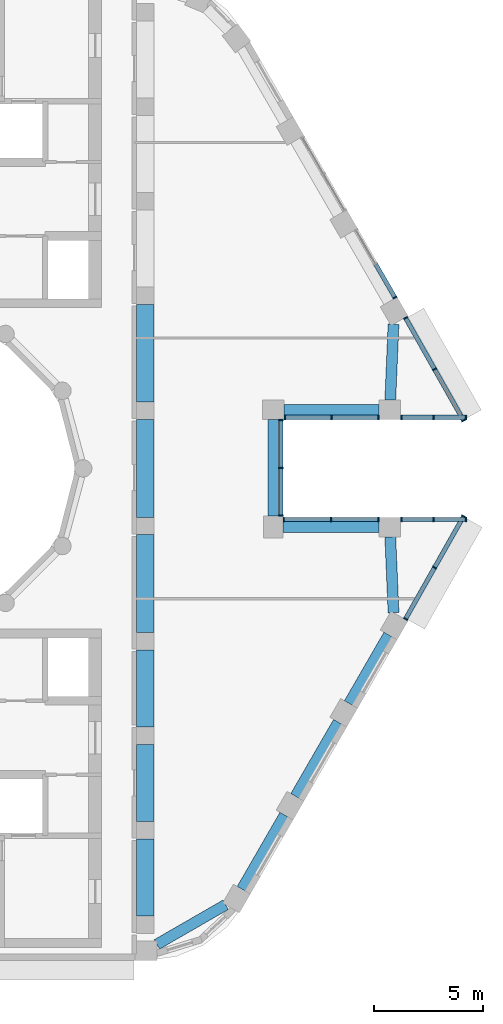
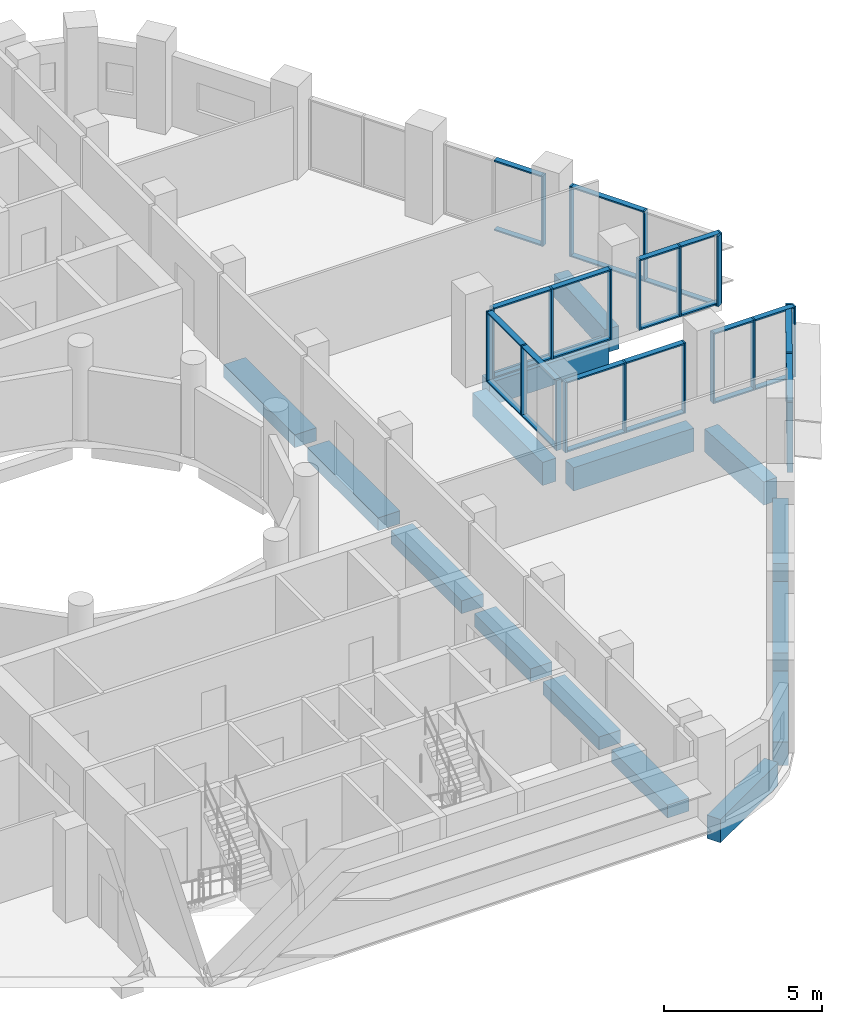
# One storey, part 4 of 16: 51 members, 15 beams, 8 elements without a shape of their own.
"""IFC4 building model written with IfcOpenShell, lengths in metres."""

from ifc_helpers import new_model, si_unit, direction, frame, origin, origin_2d, place, context, subcontext, project, spatial, rectangle, extrude, material, layer, layer_set, material_profile, profile_set, type_object, element, aggregate, save


model = new_model("IFC4")

# Units and contexts
model_context = context("Model", 3, precision=1e-05, world=origin(), true_north=direction((0.0, 1.0)))
body_context = subcontext(model_context, "Body", "Model", "MODEL_VIEW")
ifc_project = project(units=[si_unit("LENGTHUNIT", "METRE"), si_unit("AREAUNIT", "SQUARE_METRE"), si_unit("VOLUMEUNIT", "CUBIC_METRE"), si_unit("PLANEANGLEUNIT", "RADIAN"), si_unit("MASSUNIT", "GRAM", prefix="KILO")], contexts=[model_context])

# Site, building, storey
site_placement = place(None, origin())
site = spatial("IfcSite", under=ifc_project, at=site_placement, CompositionType="ELEMENT")
building_placement = place(site_placement, origin())
building = spatial("IfcBuilding", under=site, at=building_placement, Name="Nakaniwa Court", CompositionType="ELEMENT")
storey_placement = place(building_placement, frame((0.0, 0.0, 272.39990234375)))
storey = spatial("IfcBuildingStorey", under=building, at=storey_placement, Name="C01", CompositionType="ELEMENT", Elevation=272.39990234375)

# Beams
ifc_material_1 = material(Name="Concrete C80/100", Category="concrete")
ifc_material_profile_1 = material_profile(ifc_material_1, rectangle(XDim=0.5, YDim=0.89990234375, at=origin_2d()), Name="Concrete C80/100 RC 500x900 spandrel beam")
ifc_profile_set_1 = profile_set([ifc_material_profile_1], Name="Concrete C80/100")
beam_type_1 = type_object("IfcBeamType", Name="Concrete C80/100 RC 500x900 spandrel beam", PredefinedType="BEAM", material=ifc_profile_set_1)
beam_1_placement = place(storey_placement, frame((90.53955078125, 58.08837890625, -0.724853515625), z_axis=(0.866335820263, 0.49946195704, 0.0), x_axis=(-0.49946195704, 0.866335820263, 0.0)))
element("IfcBeam", 1, at=beam_1_placement, inside=storey, type_object=beam_type_1, Name="SPANDREL BEAM", PredefinedType="BEAM", context=body_context, shape_type="SweptSolid", body=[
    extrude(rectangle(XDim=0.5, YDim=0.89990234375, at=origin_2d()), origin(), (0.0, 0.0, 1.0), 3.6513671875),
])
for number, where, z_axis, x_axis, name in (
    (2, (94.453125, 60.633544921875, -0.724853515625), (0.499974795965, 0.866039954852, 0.0), (-0.866039954852, 0.499974795965, 0.0), "SPANDREL BEAM"),
    (3, (96.921142578125, 64.908447265625, -0.724853515625), (0.500021313302, 0.866013098194, 0.0), (-0.866013098194, 0.500021313302, 0.0), "SPANDREL BEAM"),
):
    element("IfcBeam", number, at=place(storey_placement, frame(where, z_axis=z_axis, x_axis=x_axis)), inside=storey, type_object=beam_type_1, Name=name, PredefinedType="BEAM", context=body_context, shape_type="SweptSolid", body=[
        extrude(rectangle(XDim=0.5, YDim=0.89990234375, at=origin_2d()), origin(), (0.0, 0.0, 1.0), 3.936279296875),
    ])
beam_2_placement = place(storey_placement, frame((99.389404296875, 69.183349609375, -0.724853515625), z_axis=(0.500028315034, 0.866009055475, 0.0), x_axis=(-0.866009055475, 0.500028315034, 0.0)))
element("IfcBeam", 4, at=beam_2_placement, inside=storey, type_object=beam_type_1, Name="SPANDREL BEAM", PredefinedType="BEAM", context=body_context, shape_type="SweptSolid", body=[
    extrude(rectangle(XDim=0.5, YDim=0.89990234375, at=origin_2d()), origin(), (0.0, 0.0, 1.0), 3.638916015625),
])
beam_3_placement = place(storey_placement, frame((101.433349609375, 73.35986328125, -0.724853515625), z_axis=(-0.042909518952, 0.999078962437, 0.0), x_axis=(-0.999078962437, -0.042909518952, 0.0)))
element("IfcBeam", 5, at=beam_3_placement, inside=storey, type_object=beam_type_1, Name="SPANDREL BEAM", PredefinedType="BEAM", context=body_context, shape_type="SweptSolid", body=[
    extrude(rectangle(XDim=0.5, YDim=0.89990234375, at=origin_2d()), origin(), (0.0, 0.0, 1.0), 3.493408203125),
])
beam_4_placement = place(storey_placement, frame((100.763916015625, 77.300048828125, -0.724853515625), z_axis=(-1.0, 0.0, 0.0), x_axis=(0.0, -1.0, 0.0)))
element("IfcBeam", 6, at=beam_4_placement, inside=storey, type_object=beam_type_1, Name="SPANDREL BEAM", PredefinedType="BEAM", context=body_context, shape_type="SweptSolid", body=[
    extrude(rectangle(XDim=0.5, YDim=0.89990234375, at=origin_2d()), origin(), (0.0, 0.0, 1.0), 4.414306640625),
])
beam_5_placement = place(storey_placement, frame((95.8994140625, 77.800048828125, -0.724853515625), z_axis=(0.0, 1.0, 0.0), x_axis=(-1.0, 0.0, 0.0)))
element("IfcBeam", 7, at=beam_5_placement, inside=storey, type_object=beam_type_1, Name="SPANDREL BEAM", PredefinedType="BEAM", context=body_context, shape_type="SweptSolid", body=[
    extrude(rectangle(XDim=0.5, YDim=0.89990234375, at=origin_2d()), origin(), (0.0, 0.0, 1.0), 4.449951171875),
])
beam_6_placement = place(storey_placement, frame((96.3994140625, 82.699951171875, -0.724853515625), z_axis=(1.0, 0.0, 0.0), x_axis=(0.0, 1.0, 0.0)))
element("IfcBeam", 8, at=beam_6_placement, inside=storey, type_object=beam_type_1, Name="SPANDREL BEAM", PredefinedType="BEAM", context=body_context, shape_type="SweptSolid", body=[
    extrude(rectangle(XDim=0.5, YDim=0.89990234375, at=origin_2d()), origin(), (0.0, 0.0, 1.0), 4.364501953125),
])
beam_7_placement = place(storey_placement, frame((101.283447265625, 83.14990234375, -0.724853515625), z_axis=(0.042909518952, 0.999078962437, 0.0), x_axis=(-0.999078962437, 0.042909518952, 0.0)))
element("IfcBeam", 9, at=beam_7_placement, inside=storey, type_object=beam_type_1, Name="SPANDREL BEAM", PredefinedType="BEAM", context=body_context, shape_type="SweptSolid", body=[
    extrude(rectangle(XDim=0.5, YDim=0.89990234375, at=origin_2d()), origin(), (0.0, 0.0, 1.0), 3.493408203125),
])
ifc_material_profile_2 = material_profile(ifc_material_1, rectangle(XDim=0.800048828125, YDim=0.5, at=origin_2d()), Name="Concrete C80/100 RC 800x500 ring beam")
ifc_profile_set_2 = profile_set([ifc_material_profile_2], Name="Concrete C80/100")
beam_type_2 = type_object("IfcBeamType", Name="Concrete C80/100 RC 800x500 ring beam", PredefinedType="BEAM", material=ifc_profile_set_2)
for number, where, z_axis, x_axis, name in (
    (10, (90.0, 59.39990234375, -0.52490234375), (0.0, 1.0, 0.0), (-1.0, 0.0, 0.0), "RING BEAM"),
    (11, (90.0, 63.75, -0.52490234375), (0.0, 1.0, 0.0), (-1.0, 0.0, 0.0), "RING BEAM"),
):
    element("IfcBeam", number, at=place(storey_placement, frame(where, z_axis=z_axis, x_axis=x_axis)), inside=storey, type_object=beam_type_2, Name=name, PredefinedType="BEAM", context=body_context, shape_type="SweptSolid", body=[
        extrude(rectangle(XDim=0.800048828125, YDim=0.5, at=origin_2d()), origin(), (0.0, 0.0, 1.0), 3.550048828125),
    ])
beam_8_placement = place(storey_placement, frame((90.0, 68.10009765625, -0.52490234375), z_axis=(0.0, 1.0, 0.0), x_axis=(-1.0, 0.0, 0.0)))
element("IfcBeam", 12, at=beam_8_placement, inside=storey, type_object=beam_type_2, Name="RING BEAM", PredefinedType="BEAM", context=body_context, shape_type="SweptSolid", body=[
    extrude(rectangle(XDim=0.800048828125, YDim=0.5, at=origin_2d()), origin(), (0.0, 0.0, 1.0), 3.5498046875),
])
for number, where, z_axis, x_axis, name in (
    (13, (90.0, 72.449951171875, -0.52490234375), (0.0, 1.0, 0.0), (-1.0, 0.0, 0.0), "RING BEAM"),
    (14, (90.0, 77.75, -0.52490234375), (0.0, 1.0, 0.0), (-1.0, 0.0, 0.0), "RING BEAM"),
    (15, (90.0, 83.050048828125, -0.52490234375), (0.0, 1.0, 0.0), (-1.0, 0.0, 0.0), "RING BEAM"),
):
    element("IfcBeam", number, at=place(storey_placement, frame(where, z_axis=z_axis, x_axis=x_axis)), inside=storey, type_object=beam_type_2, Name=name, PredefinedType="BEAM", context=body_context, shape_type="SweptSolid", body=[
        extrude(rectangle(XDim=0.800048828125, YDim=0.5, at=origin_2d()), origin(), (0.0, 0.0, 1.0), 4.5),
    ])

# Curtain wall, members
ifc_material_2 = material(Name="Black anodised aluminium frame with dark low-E laminated double glazing", Category="aluminium")
ifc_layer = layer(ifc_material_2, 0.199951171875)
ifc_layer_set = layer_set([ifc_layer], Name="Black anodised aluminium frame with dark low-E laminated double glazing")
curtain_wall_type = type_object("IfcCurtainWallType", Name="Crown curtain wall", PredefinedType="NOTDEFINED", material=ifc_layer_set)
curtain_wall_1_placement = place(storey_placement, origin())
curtain_wall_1 = element("IfcCurtainWall", 16, at=curtain_wall_1_placement, inside=storey, type_object=curtain_wall_type, Name="C01 curtain wall CW4 00", PredefinedType="NOTDEFINED")
ifc_material_3 = material(Name="Black anodised aluminium extrusion", Category="aluminium")
ifc_material_profile_3 = material_profile(ifc_material_3, rectangle(XDim=0.199951171875, YDim=0.06494140625, at=origin_2d()), Name="Crown curtain wall mullion 65x200")
ifc_profile_set_3 = profile_set([ifc_material_profile_3], Name="Black anodised aluminium extrusion")
member_type_1 = type_object("IfcMemberType", Name="Crown curtain wall mullion 65x200", PredefinedType="MULLION", material=ifc_profile_set_3)
member_1_placement = place(storey_placement, frame((96.427978515625, 82.35009765625, 0.0), z_axis=(0.0, 0.0, 1.0), x_axis=(0.0, 1.0, 0.0)))
member_1 = element("IfcMember", 17, at=member_1_placement, type_object=member_type_1, Name="CW4 mullion 1", PredefinedType="MULLION", context=body_context, shape_type="SweptSolid", body=[
    extrude(rectangle(XDim=0.199951171875, YDim=0.06494140625, at=origin_2d()), origin(), (0.0, 0.0, 1.0), 2.72509765625),
])
member_2_placement = place(storey_placement, frame((98.581787109375, 82.35009765625, 0.0), z_axis=(0.0, 0.0, 1.0), x_axis=(0.0, 1.0, 0.0)))
member_2 = element("IfcMember", 18, at=member_2_placement, type_object=member_type_1, Name="CW4 mullion 2", PredefinedType="MULLION", context=body_context, shape_type="SweptSolid", body=[
    extrude(rectangle(XDim=0.199951171875, YDim=0.06494140625, at=origin_2d()), origin(), (0.0, 0.0, 1.0), 2.72509765625),
])
member_3_placement = place(storey_placement, frame((100.735595703125, 82.35009765625, 0.0), z_axis=(0.0, 0.0, 1.0), x_axis=(0.0, 1.0, 0.0)))
member_3 = element("IfcMember", 19, at=member_3_placement, type_object=member_type_1, Name="CW4 mullion 3", PredefinedType="MULLION", context=body_context, shape_type="SweptSolid", body=[
    extrude(rectangle(XDim=0.199951171875, YDim=0.06494140625, at=origin_2d()), origin(), (0.0, 0.0, 1.0), 2.72509765625),
])

curtain_wall_2_placement = place(storey_placement, origin())
curtain_wall_2 = element("IfcCurtainWall", 20, at=curtain_wall_2_placement, inside=storey, type_object=curtain_wall_type, Name="C01 curtain wall CW4 01", PredefinedType="NOTDEFINED")
member_4_placement = place(storey_placement, frame((101.79248046875, 82.35009765625, 0.0), z_axis=(0.0, 0.0, 1.0), x_axis=(0.0, 1.0, 0.0)))
member_4 = element("IfcMember", 21, at=member_4_placement, type_object=member_type_1, Name="CW4 mullion 1", PredefinedType="MULLION", context=body_context, shape_type="SweptSolid", body=[
    extrude(rectangle(XDim=0.199951171875, YDim=0.06494140625, at=origin_2d()), origin(), (0.0, 0.0, 1.0), 2.72509765625),
])
member_5_placement = place(storey_placement, frame((103.279052734375, 82.35009765625, 0.0), z_axis=(0.0, 0.0, 1.0), x_axis=(0.0, 1.0, 0.0)))
member_5 = element("IfcMember", 22, at=member_5_placement, type_object=member_type_1, Name="CW4 mullion 2", PredefinedType="MULLION", context=body_context, shape_type="SweptSolid", body=[
    extrude(rectangle(XDim=0.199951171875, YDim=0.06494140625, at=origin_2d()), origin(), (0.0, 0.0, 1.0), 2.72509765625),
])
member_6_placement = place(storey_placement, frame((104.765380859375, 82.35009765625, 0.0), z_axis=(0.0, 0.0, 1.0), x_axis=(0.0, 1.0, 0.0)))
member_6 = element("IfcMember", 23, at=member_6_placement, type_object=member_type_1, Name="CW4 mullion 3", PredefinedType="MULLION", context=body_context, shape_type="SweptSolid", body=[
    extrude(rectangle(XDim=0.199951171875, YDim=0.06494140625, at=origin_2d()), origin(), (0.0, 0.0, 1.0), 2.72509765625),
])

curtain_wall_3_placement = place(storey_placement, origin())
curtain_wall_3 = element("IfcCurtainWall", 24, at=curtain_wall_3_placement, inside=storey, type_object=curtain_wall_type, Name="C01 curtain wall CW4 02", PredefinedType="NOTDEFINED")
member_7_placement = place(storey_placement, frame((104.65478515625, 82.206298828125, 0.0), z_axis=(0.0, 0.0, 1.0), x_axis=(-0.870495279169, -0.492176765953, 0.0)))
member_7 = element("IfcMember", 25, at=member_7_placement, type_object=member_type_1, Name="CW4 mullion 1", PredefinedType="MULLION", context=body_context, shape_type="SweptSolid", body=[
    extrude(rectangle(XDim=0.199951171875, YDim=0.06494140625, at=origin_2d()), origin(), (0.0, 0.0, 1.0), 2.72509765625),
])
member_8_placement = place(storey_placement, frame((103.320556640625, 84.566162109375, 0.0), z_axis=(0.0, 0.0, 1.0), x_axis=(-0.870495279169, -0.492176765953, 0.0)))
member_8 = element("IfcMember", 26, at=member_8_placement, type_object=member_type_1, Name="CW4 mullion 2", PredefinedType="MULLION", context=body_context, shape_type="SweptSolid", body=[
    extrude(rectangle(XDim=0.199951171875, YDim=0.06494140625, at=origin_2d()), origin(), (0.0, 0.0, 1.0), 2.72509765625),
])
member_9_placement = place(storey_placement, frame((101.986328125, 86.926025390625, 0.0), z_axis=(0.0, 0.0, 1.0), x_axis=(-0.870495279169, -0.492176765953, 0.0)))
member_9 = element("IfcMember", 27, at=member_9_placement, type_object=member_type_1, Name="CW4 mullion 3", PredefinedType="MULLION", context=body_context, shape_type="SweptSolid", body=[
    extrude(rectangle(XDim=0.199951171875, YDim=0.06494140625, at=origin_2d()), origin(), (0.0, 0.0, 1.0), 2.72509765625),
])

# Curtain wall, member
curtain_wall_4_placement = place(storey_placement, origin())
curtain_wall_4 = element("IfcCurtainWall", 28, at=curtain_wall_4_placement, inside=storey, type_object=curtain_wall_type, Name="C01 curtain wall CW4 03", PredefinedType="NOTDEFINED")
member_10_placement = place(storey_placement, frame((101.497802734375, 87.86474609375, 0.0), z_axis=(0.0, 0.0, 1.0), x_axis=(-0.866032625369, -0.49998749164, 0.0)))
member_10 = element("IfcMember", 29, at=member_10_placement, type_object=member_type_1, Name="CW4 mullion 1", PredefinedType="MULLION", context=body_context, shape_type="SweptSolid", body=[
    extrude(rectangle(XDim=0.199951171875, YDim=0.06494140625, at=origin_2d()), origin(), (0.0, 0.0, 1.0), 2.72509765625),
])

# Curtain wall, members
curtain_wall_5_placement = place(storey_placement, origin())
curtain_wall_5 = element("IfcCurtainWall", 30, at=curtain_wall_5_placement, inside=storey, type_object=curtain_wall_type, Name="C01 curtain wall CW4 32", PredefinedType="NOTDEFINED")
member_11_placement = place(storey_placement, frame((101.986328125, 73.073974609375, 0.0), z_axis=(0.0, 0.0, 1.0), x_axis=(-0.870495279169, 0.492176765953, 0.0)))
member_11 = element("IfcMember", 31, at=member_11_placement, type_object=member_type_1, Name="CW4 mullion 1", PredefinedType="MULLION", context=body_context, shape_type="SweptSolid", body=[
    extrude(rectangle(XDim=0.199951171875, YDim=0.06494140625, at=origin_2d()), origin(), (0.0, 0.0, 1.0), 2.72509765625),
])
member_12_placement = place(storey_placement, frame((103.320556640625, 75.433837890625, 0.0), z_axis=(0.0, 0.0, 1.0), x_axis=(-0.870495279169, 0.492176765953, 0.0)))
member_12 = element("IfcMember", 32, at=member_12_placement, type_object=member_type_1, Name="CW4 mullion 2", PredefinedType="MULLION", context=body_context, shape_type="SweptSolid", body=[
    extrude(rectangle(XDim=0.199951171875, YDim=0.06494140625, at=origin_2d()), origin(), (0.0, 0.0, 1.0), 2.72509765625),
])
member_13_placement = place(storey_placement, frame((104.65478515625, 77.793701171875, 0.0), z_axis=(0.0, 0.0, 1.0), x_axis=(-0.870495279169, 0.492176765953, 0.0)))
member_13 = element("IfcMember", 33, at=member_13_placement, type_object=member_type_1, Name="CW4 mullion 3", PredefinedType="MULLION", context=body_context, shape_type="SweptSolid", body=[
    extrude(rectangle(XDim=0.199951171875, YDim=0.06494140625, at=origin_2d()), origin(), (0.0, 0.0, 1.0), 2.72509765625),
])

curtain_wall_6_placement = place(storey_placement, origin())
curtain_wall_6 = element("IfcCurtainWall", 34, at=curtain_wall_6_placement, inside=storey, type_object=curtain_wall_type, Name="C01 curtain wall CW4 33", PredefinedType="NOTDEFINED")
member_14_placement = place(storey_placement, frame((104.765380859375, 77.64990234375, 0.0), z_axis=(0.0, 0.0, 1.0), x_axis=(0.0, -1.0, 0.0)))
member_14 = element("IfcMember", 35, at=member_14_placement, type_object=member_type_1, Name="CW4 mullion 1", PredefinedType="MULLION", context=body_context, shape_type="SweptSolid", body=[
    extrude(rectangle(XDim=0.199951171875, YDim=0.06494140625, at=origin_2d()), origin(), (0.0, 0.0, 1.0), 2.72509765625),
])
member_15_placement = place(storey_placement, frame((103.279052734375, 77.64990234375, 0.0), z_axis=(0.0, 0.0, 1.0), x_axis=(0.0, -1.0, 0.0)))
member_15 = element("IfcMember", 36, at=member_15_placement, type_object=member_type_1, Name="CW4 mullion 2", PredefinedType="MULLION", context=body_context, shape_type="SweptSolid", body=[
    extrude(rectangle(XDim=0.199951171875, YDim=0.06494140625, at=origin_2d()), origin(), (0.0, 0.0, 1.0), 2.72509765625),
])
member_16_placement = place(storey_placement, frame((101.79248046875, 77.64990234375, 0.0), z_axis=(0.0, 0.0, 1.0), x_axis=(0.0, -1.0, 0.0)))
member_16 = element("IfcMember", 37, at=member_16_placement, type_object=member_type_1, Name="CW4 mullion 3", PredefinedType="MULLION", context=body_context, shape_type="SweptSolid", body=[
    extrude(rectangle(XDim=0.199951171875, YDim=0.06494140625, at=origin_2d()), origin(), (0.0, 0.0, 1.0), 2.72509765625),
])

curtain_wall_7_placement = place(storey_placement, origin())
curtain_wall_7 = element("IfcCurtainWall", 38, at=curtain_wall_7_placement, inside=storey, type_object=curtain_wall_type, Name="C01 curtain wall CW4 34", PredefinedType="NOTDEFINED")
member_17_placement = place(storey_placement, frame((100.735595703125, 77.64990234375, 0.0), z_axis=(0.0, 0.0, 1.0), x_axis=(0.0, -1.0, 0.0)))
member_17 = element("IfcMember", 39, at=member_17_placement, type_object=member_type_1, Name="CW4 mullion 1", PredefinedType="MULLION", context=body_context, shape_type="SweptSolid", body=[
    extrude(rectangle(XDim=0.199951171875, YDim=0.06494140625, at=origin_2d()), origin(), (0.0, 0.0, 1.0), 2.72509765625),
])
member_18_placement = place(storey_placement, frame((98.556640625, 77.64990234375, 0.0), z_axis=(0.0, 0.0, 1.0), x_axis=(0.0, -1.0, 0.0)))
member_18 = element("IfcMember", 40, at=member_18_placement, type_object=member_type_1, Name="CW4 mullion 2", PredefinedType="MULLION", context=body_context, shape_type="SweptSolid", body=[
    extrude(rectangle(XDim=0.199951171875, YDim=0.06494140625, at=origin_2d()), origin(), (0.0, 0.0, 1.0), 2.72509765625),
])
member_19_placement = place(storey_placement, frame((96.3779296875, 77.64990234375, 0.0), z_axis=(0.0, 0.0, 1.0), x_axis=(0.0, -1.0, 0.0)))
member_19 = element("IfcMember", 41, at=member_19_placement, type_object=member_type_1, Name="CW4 mullion 3", PredefinedType="MULLION", context=body_context, shape_type="SweptSolid", body=[
    extrude(rectangle(XDim=0.199951171875, YDim=0.06494140625, at=origin_2d()), origin(), (0.0, 0.0, 1.0), 2.72509765625),
])

curtain_wall_8_placement = place(storey_placement, origin())
curtain_wall_8 = element("IfcCurtainWall", 42, at=curtain_wall_8_placement, inside=storey, type_object=curtain_wall_type, Name="C01 curtain wall CW4 35", PredefinedType="NOTDEFINED")
member_20_placement = place(storey_placement, frame((96.24951171875, 77.82861328125, 0.0), z_axis=(0.0, 0.0, 1.0), x_axis=(-1.0, 0.0, 0.0)))
member_20 = element("IfcMember", 43, at=member_20_placement, type_object=member_type_1, Name="CW4 mullion 1", PredefinedType="MULLION", context=body_context, shape_type="SweptSolid", body=[
    extrude(rectangle(XDim=0.199951171875, YDim=0.06494140625, at=origin_2d()), origin(), (0.0, 0.0, 1.0), 2.72509765625),
])
member_21_placement = place(storey_placement, frame((96.24951171875, 80.02490234375, 0.0), z_axis=(0.0, 0.0, 1.0), x_axis=(-1.0, 0.0, 0.0)))
member_21 = element("IfcMember", 44, at=member_21_placement, type_object=member_type_1, Name="CW4 mullion 2", PredefinedType="MULLION", context=body_context, shape_type="SweptSolid", body=[
    extrude(rectangle(XDim=0.199951171875, YDim=0.06494140625, at=origin_2d()), origin(), (0.0, 0.0, 1.0), 2.72509765625),
])
member_22_placement = place(storey_placement, frame((96.24951171875, 82.221435546875, 0.0), z_axis=(0.0, 0.0, 1.0), x_axis=(-1.0, 0.0, 0.0)))
member_22 = element("IfcMember", 45, at=member_22_placement, type_object=member_type_1, Name="CW4 mullion 3", PredefinedType="MULLION", context=body_context, shape_type="SweptSolid", body=[
    extrude(rectangle(XDim=0.199951171875, YDim=0.06494140625, at=origin_2d()), origin(), (0.0, 0.0, 1.0), 2.72509765625),
])

# Member
ifc_material_profile_4 = material_profile(ifc_material_3, rectangle(XDim=0.199951171875, YDim=0.054931640625, at=origin_2d()), Name="Crown curtain wall transom 55x200")
ifc_profile_set_4 = profile_set([ifc_material_profile_4], Name="Black anodised aluminium extrusion")
member_type_2 = type_object("IfcMemberType", Name="Crown curtain wall transom 55x200", PredefinedType="USERDEFINED", material=ifc_profile_set_4)
member_23_placement = place(storey_placement, frame((96.46044921875, 82.35009765625, 0.027587890625), z_axis=(1.0, 0.0, 0.0), x_axis=(0.0, 1.0, 0.0)))
member_23 = element("IfcMember", 46, at=member_23_placement, type_object=member_type_2, Name="CW4 transom 1.1", ObjectType="TRANSOM", PredefinedType="USERDEFINED", context=body_context, shape_type="SweptSolid", body=[
    extrude(rectangle(XDim=0.199951171875, YDim=0.054931640625, at=origin_2d()), origin(), (0.0, 0.0, 1.0), 2.0888671875),
])

member_24_placement = place(storey_placement, frame((96.46044921875, 82.35009765625, 2.697509765625), z_axis=(1.0, 0.0, 0.0), x_axis=(0.0, 1.0, 0.0)))
member_24 = element("IfcMember", 47, at=member_24_placement, type_object=member_type_2, Name="CW4 transom 1.2", ObjectType="TRANSOM", PredefinedType="USERDEFINED", context=body_context, shape_type="SweptSolid", body=[
    extrude(rectangle(XDim=0.199951171875, YDim=0.054931640625, at=origin_2d()), origin(), (0.0, 0.0, 1.0), 2.0888671875),
])

member_25_placement = place(storey_placement, frame((98.6142578125, 82.35009765625, 0.027587890625), z_axis=(1.0, 0.0, 0.0), x_axis=(0.0, 1.0, 0.0)))
member_25 = element("IfcMember", 48, at=member_25_placement, type_object=member_type_2, Name="CW4 transom 2.1", ObjectType="TRANSOM", PredefinedType="USERDEFINED", context=body_context, shape_type="SweptSolid", body=[
    extrude(rectangle(XDim=0.199951171875, YDim=0.054931640625, at=origin_2d()), origin(), (0.0, 0.0, 1.0), 2.088623046875),
])

member_26_placement = place(storey_placement, frame((98.6142578125, 82.35009765625, 2.697509765625), z_axis=(1.0, 0.0, 0.0), x_axis=(0.0, 1.0, 0.0)))
member_26 = element("IfcMember", 49, at=member_26_placement, type_object=member_type_2, Name="CW4 transom 2.2", ObjectType="TRANSOM", PredefinedType="USERDEFINED", context=body_context, shape_type="SweptSolid", body=[
    extrude(rectangle(XDim=0.199951171875, YDim=0.054931640625, at=origin_2d()), origin(), (0.0, 0.0, 1.0), 2.088623046875),
])

aggregate(curtain_wall_1, [member_1, member_2, member_3, member_23, member_24, member_25, member_26])

member_27_placement = place(storey_placement, frame((101.824951171875, 82.35009765625, 0.027587890625), z_axis=(1.0, 0.0, 0.0), x_axis=(0.0, 1.0, 0.0)))
member_27 = element("IfcMember", 50, at=member_27_placement, type_object=member_type_2, Name="CW4 transom 1.1", ObjectType="TRANSOM", PredefinedType="USERDEFINED", context=body_context, shape_type="SweptSolid", body=[
    extrude(rectangle(XDim=0.199951171875, YDim=0.054931640625, at=origin_2d()), origin(), (0.0, 0.0, 1.0), 1.42138671875),
])

member_28_placement = place(storey_placement, frame((101.824951171875, 82.35009765625, 2.697509765625), z_axis=(1.0, 0.0, 0.0), x_axis=(0.0, 1.0, 0.0)))
member_28 = element("IfcMember", 51, at=member_28_placement, type_object=member_type_2, Name="CW4 transom 1.2", ObjectType="TRANSOM", PredefinedType="USERDEFINED", context=body_context, shape_type="SweptSolid", body=[
    extrude(rectangle(XDim=0.199951171875, YDim=0.054931640625, at=origin_2d()), origin(), (0.0, 0.0, 1.0), 1.42138671875),
])

member_29_placement = place(storey_placement, frame((103.3115234375, 82.35009765625, 0.027587890625), z_axis=(1.0, 0.0, 0.0), x_axis=(0.0, 1.0, 0.0)))
member_29 = element("IfcMember", 52, at=member_29_placement, type_object=member_type_2, Name="CW4 transom 2.1", ObjectType="TRANSOM", PredefinedType="USERDEFINED", context=body_context, shape_type="SweptSolid", body=[
    extrude(rectangle(XDim=0.199951171875, YDim=0.054931640625, at=origin_2d()), origin(), (0.0, 0.0, 1.0), 1.42138671875),
])

member_30_placement = place(storey_placement, frame((103.3115234375, 82.35009765625, 2.697509765625), z_axis=(1.0, 0.0, 0.0), x_axis=(0.0, 1.0, 0.0)))
member_30 = element("IfcMember", 53, at=member_30_placement, type_object=member_type_2, Name="CW4 transom 2.2", ObjectType="TRANSOM", PredefinedType="USERDEFINED", context=body_context, shape_type="SweptSolid", body=[
    extrude(rectangle(XDim=0.199951171875, YDim=0.054931640625, at=origin_2d()), origin(), (0.0, 0.0, 1.0), 1.42138671875),
])

aggregate(curtain_wall_2, [member_4, member_5, member_6, member_27, member_28, member_29, member_30])

member_31_placement = place(storey_placement, frame((104.638671875, 82.234619140625, 0.027587890625), z_axis=(-0.492178871127, 0.870494088904, 0.0), x_axis=(-0.870494088904, -0.492178871127, 0.0)))
member_31 = element("IfcMember", 54, at=member_31_placement, type_object=member_type_2, Name="CW4 transom 1.1", ObjectType="TRANSOM", PredefinedType="USERDEFINED", context=body_context, shape_type="SweptSolid", body=[
    extrude(rectangle(XDim=0.199951171875, YDim=0.054931640625, at=origin_2d()), origin(), (0.0, 0.0, 1.0), 2.64599609375),
])

member_32_placement = place(storey_placement, frame((103.304443359375, 84.594482421875, 0.027587890625), z_axis=(-0.492178871127, 0.870494088904, 0.0), x_axis=(-0.870494088904, -0.492178871127, 0.0)))
member_32 = element("IfcMember", 55, at=member_32_placement, type_object=member_type_2, Name="CW4 transom 2.1", ObjectType="TRANSOM", PredefinedType="USERDEFINED", context=body_context, shape_type="SweptSolid", body=[
    extrude(rectangle(XDim=0.199951171875, YDim=0.054931640625, at=origin_2d()), origin(), (0.0, 0.0, 1.0), 2.64599609375),
])

member_33_placement = place(storey_placement, frame((103.304443359375, 84.594482421875, 2.697509765625), z_axis=(-0.492178871127, 0.870494088904, 0.0), x_axis=(-0.870494088904, -0.492178871127, 0.0)))
member_33 = element("IfcMember", 56, at=member_33_placement, type_object=member_type_2, Name="CW4 transom 2.2", ObjectType="TRANSOM", PredefinedType="USERDEFINED", context=body_context, shape_type="SweptSolid", body=[
    extrude(rectangle(XDim=0.199951171875, YDim=0.054931640625, at=origin_2d()), origin(), (0.0, 0.0, 1.0), 2.64599609375),
])

aggregate(curtain_wall_3, [member_7, member_8, member_9, member_31, member_32, member_33])

member_34_placement = place(storey_placement, frame((101.4814453125, 87.89306640625, 0.027587890625), z_axis=(-0.500048976984, 0.865997125063, 0.0), x_axis=(-0.865997125063, -0.500048976984, 0.0)))
member_34 = element("IfcMember", 57, at=member_34_placement, type_object=member_type_2, Name="CW4 transom 1.1", ObjectType="TRANSOM", PredefinedType="USERDEFINED", context=body_context, shape_type="SweptSolid", body=[
    extrude(rectangle(XDim=0.199951171875, YDim=0.054931640625, at=origin_2d()), origin(), (0.0, 0.0, 1.0), 1.725830078125),
])

member_35_placement = place(storey_placement, frame((101.4814453125, 87.89306640625, 2.697509765625), z_axis=(-0.500048976984, 0.865997125063, 0.0), x_axis=(-0.865997125063, -0.500048976984, 0.0)))
member_35 = element("IfcMember", 58, at=member_35_placement, type_object=member_type_2, Name="CW4 transom 1.2", ObjectType="TRANSOM", PredefinedType="USERDEFINED", context=body_context, shape_type="SweptSolid", body=[
    extrude(rectangle(XDim=0.199951171875, YDim=0.054931640625, at=origin_2d()), origin(), (0.0, 0.0, 1.0), 1.725830078125),
])

aggregate(curtain_wall_4, [member_10, member_34, member_35])

member_36_placement = place(storey_placement, frame((102.002197265625, 73.102294921875, 0.027587890625), z_axis=(0.492178871127, 0.870494088904, 0.0), x_axis=(-0.870494088904, 0.492178871127, 0.0)))
member_36 = element("IfcMember", 59, at=member_36_placement, type_object=member_type_2, Name="CW4 transom 1.1", ObjectType="TRANSOM", PredefinedType="USERDEFINED", context=body_context, shape_type="SweptSolid", body=[
    extrude(rectangle(XDim=0.199951171875, YDim=0.054931640625, at=origin_2d()), origin(), (0.0, 0.0, 1.0), 2.64599609375),
])

member_37_placement = place(storey_placement, frame((102.002197265625, 73.102294921875, 2.697509765625), z_axis=(0.492178871127, 0.870494088904, 0.0), x_axis=(-0.870494088904, 0.492178871127, 0.0)))
member_37 = element("IfcMember", 60, at=member_37_placement, type_object=member_type_2, Name="CW4 transom 1.2", ObjectType="TRANSOM", PredefinedType="USERDEFINED", context=body_context, shape_type="SweptSolid", body=[
    extrude(rectangle(XDim=0.199951171875, YDim=0.054931640625, at=origin_2d()), origin(), (0.0, 0.0, 1.0), 2.64599609375),
])

member_38_placement = place(storey_placement, frame((103.33642578125, 75.462158203125, 0.027587890625), z_axis=(0.492178871127, 0.870494088904, 0.0), x_axis=(-0.870494088904, 0.492178871127, 0.0)))
member_38 = element("IfcMember", 61, at=member_38_placement, type_object=member_type_2, Name="CW4 transom 2.1", ObjectType="TRANSOM", PredefinedType="USERDEFINED", context=body_context, shape_type="SweptSolid", body=[
    extrude(rectangle(XDim=0.199951171875, YDim=0.054931640625, at=origin_2d()), origin(), (0.0, 0.0, 1.0), 2.64599609375),
])

member_39_placement = place(storey_placement, frame((103.33642578125, 75.462158203125, 2.697509765625), z_axis=(0.492178871127, 0.870494088904, 0.0), x_axis=(-0.870494088904, 0.492178871127, 0.0)))
member_39 = element("IfcMember", 62, at=member_39_placement, type_object=member_type_2, Name="CW4 transom 2.2", ObjectType="TRANSOM", PredefinedType="USERDEFINED", context=body_context, shape_type="SweptSolid", body=[
    extrude(rectangle(XDim=0.199951171875, YDim=0.054931640625, at=origin_2d()), origin(), (0.0, 0.0, 1.0), 2.64599609375),
])

aggregate(curtain_wall_5, [member_11, member_12, member_13, member_36, member_37, member_38, member_39])

member_40_placement = place(storey_placement, frame((104.73291015625, 77.64990234375, 0.027587890625), z_axis=(-1.0, 0.0, 0.0), x_axis=(0.0, -1.0, 0.0)))
member_40 = element("IfcMember", 63, at=member_40_placement, type_object=member_type_2, Name="CW4 transom 1.1", ObjectType="TRANSOM", PredefinedType="USERDEFINED", context=body_context, shape_type="SweptSolid", body=[
    extrude(rectangle(XDim=0.199951171875, YDim=0.054931640625, at=origin_2d()), origin(), (0.0, 0.0, 1.0), 1.42138671875),
])

member_41_placement = place(storey_placement, frame((104.73291015625, 77.64990234375, 2.697509765625), z_axis=(-1.0, 0.0, 0.0), x_axis=(0.0, -1.0, 0.0)))
member_41 = element("IfcMember", 64, at=member_41_placement, type_object=member_type_2, Name="CW4 transom 1.2", ObjectType="TRANSOM", PredefinedType="USERDEFINED", context=body_context, shape_type="SweptSolid", body=[
    extrude(rectangle(XDim=0.199951171875, YDim=0.054931640625, at=origin_2d()), origin(), (0.0, 0.0, 1.0), 1.42138671875),
])

member_42_placement = place(storey_placement, frame((103.246337890625, 77.64990234375, 0.027587890625), z_axis=(-1.0, 0.0, 0.0), x_axis=(0.0, -1.0, 0.0)))
member_42 = element("IfcMember", 65, at=member_42_placement, type_object=member_type_2, Name="CW4 transom 2.1", ObjectType="TRANSOM", PredefinedType="USERDEFINED", context=body_context, shape_type="SweptSolid", body=[
    extrude(rectangle(XDim=0.199951171875, YDim=0.054931640625, at=origin_2d()), origin(), (0.0, 0.0, 1.0), 1.42138671875),
])

member_43_placement = place(storey_placement, frame((103.246337890625, 77.64990234375, 2.697509765625), z_axis=(-1.0, 0.0, 0.0), x_axis=(0.0, -1.0, 0.0)))
member_43 = element("IfcMember", 66, at=member_43_placement, type_object=member_type_2, Name="CW4 transom 2.2", ObjectType="TRANSOM", PredefinedType="USERDEFINED", context=body_context, shape_type="SweptSolid", body=[
    extrude(rectangle(XDim=0.199951171875, YDim=0.054931640625, at=origin_2d()), origin(), (0.0, 0.0, 1.0), 1.42138671875),
])

aggregate(curtain_wall_6, [member_14, member_15, member_16, member_40, member_41, member_42, member_43])

member_44_placement = place(storey_placement, frame((100.702880859375, 77.64990234375, 0.027587890625), z_axis=(-1.0, 0.0, 0.0), x_axis=(0.0, -1.0, 0.0)))
member_44 = element("IfcMember", 67, at=member_44_placement, type_object=member_type_2, Name="CW4 transom 1.1", ObjectType="TRANSOM", PredefinedType="USERDEFINED", context=body_context, shape_type="SweptSolid", body=[
    extrude(rectangle(XDim=0.199951171875, YDim=0.054931640625, at=origin_2d()), origin(), (0.0, 0.0, 1.0), 2.113525390625),
])

member_45_placement = place(storey_placement, frame((100.702880859375, 77.64990234375, 2.697509765625), z_axis=(-1.0, 0.0, 0.0), x_axis=(0.0, -1.0, 0.0)))
member_45 = element("IfcMember", 68, at=member_45_placement, type_object=member_type_2, Name="CW4 transom 1.2", ObjectType="TRANSOM", PredefinedType="USERDEFINED", context=body_context, shape_type="SweptSolid", body=[
    extrude(rectangle(XDim=0.199951171875, YDim=0.054931640625, at=origin_2d()), origin(), (0.0, 0.0, 1.0), 2.113525390625),
])

member_46_placement = place(storey_placement, frame((98.524169921875, 77.64990234375, 0.027587890625), z_axis=(-1.0, 0.0, 0.0), x_axis=(0.0, -1.0, 0.0)))
member_46 = element("IfcMember", 69, at=member_46_placement, type_object=member_type_2, Name="CW4 transom 2.1", ObjectType="TRANSOM", PredefinedType="USERDEFINED", context=body_context, shape_type="SweptSolid", body=[
    extrude(rectangle(XDim=0.199951171875, YDim=0.054931640625, at=origin_2d()), origin(), (0.0, 0.0, 1.0), 2.11376953125),
])

member_47_placement = place(storey_placement, frame((98.524169921875, 77.64990234375, 2.697509765625), z_axis=(-1.0, 0.0, 0.0), x_axis=(0.0, -1.0, 0.0)))
member_47 = element("IfcMember", 70, at=member_47_placement, type_object=member_type_2, Name="CW4 transom 2.2", ObjectType="TRANSOM", PredefinedType="USERDEFINED", context=body_context, shape_type="SweptSolid", body=[
    extrude(rectangle(XDim=0.199951171875, YDim=0.054931640625, at=origin_2d()), origin(), (0.0, 0.0, 1.0), 2.11376953125),
])

aggregate(curtain_wall_7, [member_17, member_18, member_19, member_44, member_45, member_46, member_47])

member_48_placement = place(storey_placement, frame((96.24951171875, 77.861083984375, 0.027587890625), z_axis=(0.0, 1.0, 0.0), x_axis=(-1.0, 0.0, 0.0)))
member_48 = element("IfcMember", 71, at=member_48_placement, type_object=member_type_2, Name="CW4 transom 1.1", ObjectType="TRANSOM", PredefinedType="USERDEFINED", context=body_context, shape_type="SweptSolid", body=[
    extrude(rectangle(XDim=0.199951171875, YDim=0.054931640625, at=origin_2d()), origin(), (0.0, 0.0, 1.0), 2.13134765625),
])

member_49_placement = place(storey_placement, frame((96.24951171875, 77.861083984375, 2.697509765625), z_axis=(0.0, 1.0, 0.0), x_axis=(-1.0, 0.0, 0.0)))
member_49 = element("IfcMember", 72, at=member_49_placement, type_object=member_type_2, Name="CW4 transom 1.2", ObjectType="TRANSOM", PredefinedType="USERDEFINED", context=body_context, shape_type="SweptSolid", body=[
    extrude(rectangle(XDim=0.199951171875, YDim=0.054931640625, at=origin_2d()), origin(), (0.0, 0.0, 1.0), 2.13134765625),
])

member_50_placement = place(storey_placement, frame((96.24951171875, 80.0576171875, 0.027587890625), z_axis=(0.0, 1.0, 0.0), x_axis=(-1.0, 0.0, 0.0)))
member_50 = element("IfcMember", 73, at=member_50_placement, type_object=member_type_2, Name="CW4 transom 2.1", ObjectType="TRANSOM", PredefinedType="USERDEFINED", context=body_context, shape_type="SweptSolid", body=[
    extrude(rectangle(XDim=0.199951171875, YDim=0.054931640625, at=origin_2d()), origin(), (0.0, 0.0, 1.0), 2.13134765625),
])

member_51_placement = place(storey_placement, frame((96.24951171875, 80.0576171875, 2.697509765625), z_axis=(0.0, 1.0, 0.0), x_axis=(-1.0, 0.0, 0.0)))
member_51 = element("IfcMember", 74, at=member_51_placement, type_object=member_type_2, Name="CW4 transom 2.2", ObjectType="TRANSOM", PredefinedType="USERDEFINED", context=body_context, shape_type="SweptSolid", body=[
    extrude(rectangle(XDim=0.199951171875, YDim=0.054931640625, at=origin_2d()), origin(), (0.0, 0.0, 1.0), 2.13134765625),
])

aggregate(curtain_wall_8, [member_20, member_21, member_22, member_48, member_49, member_50, member_51])

save(model, "model.ifc")
